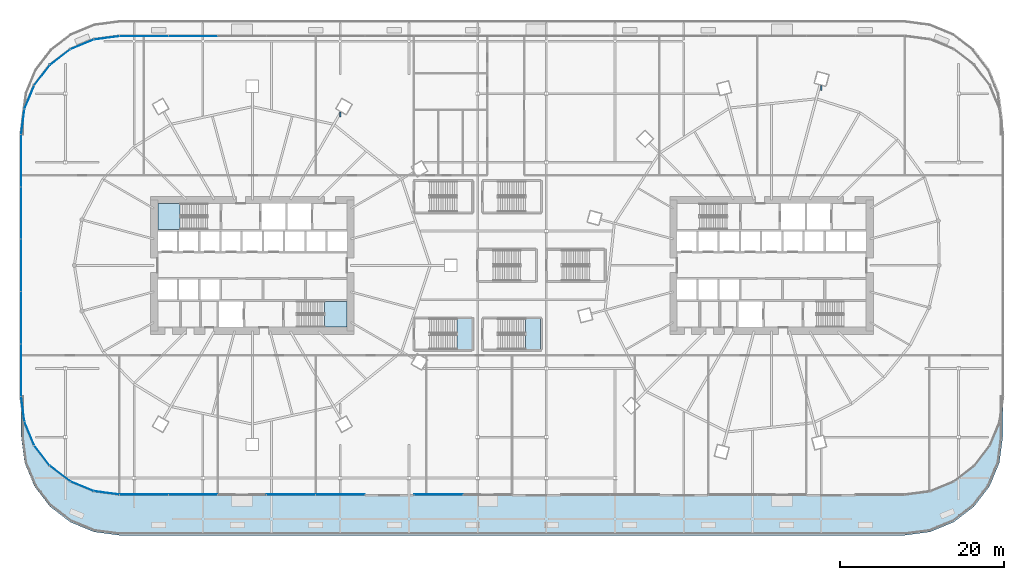
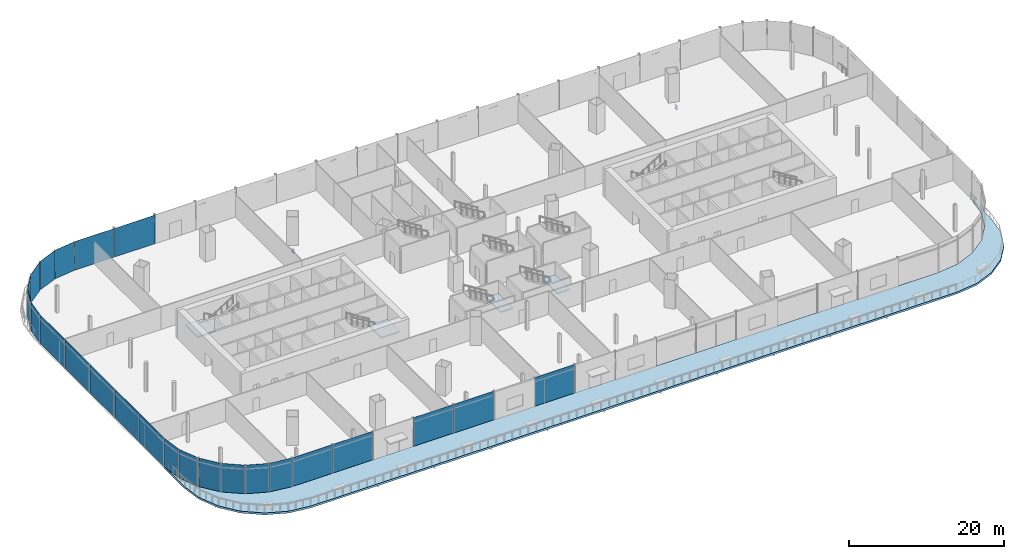
# One storey, part 31 of 52: 24 plates, 5 slabs, 2 beams, 5 elements without a shape of their own.
"""IFC4 building model written with IfcOpenShell, lengths in metres."""

from ifc_helpers import new_model, si_unit, direction, frame, origin, origin_2d, place, context, subcontext, project, spatial, polyline, rectangle, i_section, outline, extrude, material, layer, layer_set, material_profile, profile_set, type_object, element, aggregate, save


model = new_model("IFC4")

# Units and contexts
model_context = context("Model", 3, precision=1e-05, world=origin(), true_north=direction((0.0, 1.0)))
body_context = subcontext(model_context, "Body", "Model", "MODEL_VIEW")
ifc_project = project(units=[si_unit("LENGTHUNIT", "METRE"), si_unit("AREAUNIT", "SQUARE_METRE"), si_unit("VOLUMEUNIT", "CUBIC_METRE"), si_unit("PLANEANGLEUNIT", "RADIAN"), si_unit("MASSUNIT", "GRAM", prefix="KILO")], contexts=[model_context])

# Site, building, storey
site_placement = place(None, origin())
site = spatial("IfcSite", under=ifc_project, at=site_placement, CompositionType="ELEMENT")
building_placement = place(site_placement, origin())
building = spatial("IfcBuilding", under=site, at=building_placement, Name="Rimbun Link Towers", CompositionType="ELEMENT")
storey_placement = place(building_placement, frame((0.0, 0.0, 21.0)))
storey = spatial("IfcBuildingStorey", under=building, at=storey_placement, Name="L04", CompositionType="ELEMENT", Elevation=21.0)

# Beams
ifc_material_1 = material(Name="Steel S355J2", Category="steel")
ifc_material_profile = material_profile(ifc_material_1, i_section(OverallWidth=0.209228515625, OverallDepth=0.533203125, WebThickness=0.010009765625, FlangeThickness=0.015625, at=origin_2d()), Name="UB 533x210x92")
ifc_profile_set = profile_set([ifc_material_profile], Name="Steel S355J2")
beam_type = type_object("IfcBeamType", Name="UB 533x210x92", PredefinedType="BEAM", material=ifc_profile_set)
beam_1_placement = place(storey_placement, frame((-21.0, 18.157958984375, -0.56640625), z_axis=(0.0, 1.0, 0.0), x_axis=(-1.0, 0.0, 0.0)))
element("IfcBeam", 1, at=beam_1_placement, inside=storey, type_object=beam_type, Name="Grid beam L04 -21.0", PredefinedType="BEAM", context=body_context, shape_type="SweptSolid", body=[
    extrude(i_section(OverallWidth=0.209228515625, OverallDepth=0.533203125, WebThickness=0.010009765625, FlangeThickness=0.015625, at=origin_2d()), origin(), (0.0, 0.0, 1.0), 0.59326171875),
])
beam_2_placement = place(storey_placement, frame((37.800048828125, 21.398193359375, -0.56640625), z_axis=(0.0, 1.0, 0.0), x_axis=(-1.0, 0.0, 0.0)))
element("IfcBeam", 2, at=beam_2_placement, inside=storey, type_object=beam_type, Name="Grid beam L04 +37.8", PredefinedType="BEAM", context=body_context, shape_type="SweptSolid", body=[
    extrude(i_section(OverallWidth=0.209228515625, OverallDepth=0.533203125, WebThickness=0.010009765625, FlangeThickness=0.015625, at=origin_2d()), origin(), (0.0, 0.0, 1.0), 0.5966796875),
])

# Curtain wall, plates
ifc_material_2 = material(Name="Aluminium 6063-T6 and low-iron glass", Category="aluminium")
curtain_wall_type = type_object("IfcCurtainWallType", Name="CW3 podium shopfront", PredefinedType="NOTDEFINED", material=ifc_material_2)
curtain_wall_placement = place(storey_placement, origin())
curtain_wall = element("IfcCurtainWall", 3, at=curtain_wall_placement, inside=storey, type_object=curtain_wall_type, Name="CW3 L04 PD", PredefinedType="NOTDEFINED")
ifc_material_3 = material(Name="Clear toughened low-iron glass", Category="glass")
ifc_layer_1 = layer(ifc_material_3, 0.02392578125)
ifc_layer_set_1 = layer_set([ifc_layer_1], Name="CW3 panel Clear toughened low-iron glass 24")
plate_type = type_object("IfcPlateType", Name="CW3 panel Clear toughened low-iron glass 24", PredefinedType="CURTAIN_PANEL", material=ifc_layer_set_1)
plate_1_placement = place(storey_placement, frame((-39.0, 28.011962890625, 0.0), z_axis=(0.0, 0.0, 1.0), x_axis=(1.0, 0.0, 0.0)))
plate_1 = element("IfcPlate", 4, at=plate_1_placement, type_object=plate_type, Name="CW3 panel", PredefinedType="CURTAIN_PANEL", context=body_context, shape_type="SweptSolid", body=[
    extrude(rectangle(XDim=5.9599609375, YDim=0.02392578125, at=origin_2d()), origin(), (0.0, 0.0, 1.0), 4.5),
])
plate_2_placement = place(storey_placement, frame((-45.0, 28.011962890625, 0.0), z_axis=(0.0, 0.0, 1.0), x_axis=(1.0, 0.0, 0.0)))
plate_2 = element("IfcPlate", 5, at=plate_2_placement, type_object=plate_type, Name="CW3 panel", PredefinedType="CURTAIN_PANEL", context=body_context, shape_type="SweptSolid", body=[
    extrude(rectangle(XDim=5.9599609375, YDim=0.02392578125, at=origin_2d()), origin(), (0.0, 0.0, 1.0), 4.5),
])
plate_3_placement = place(storey_placement, frame((-49.554443359375, 27.807373046875, 0.0), z_axis=(0.0, 0.0, 1.0), x_axis=(0.991444296525, 0.130530482602, 0.0)))
plate_3 = element("IfcPlate", 6, at=plate_3_placement, type_object=plate_type, Name="CW3 panel", PredefinedType="CURTAIN_PANEL", context=body_context, shape_type="SweptSolid", body=[
    extrude(rectangle(XDim=3.092529296875, YDim=0.02392578125, at=origin_2d()), origin(), (0.0, 0.0, 1.0), 4.5),
])
plate_4_placement = place(storey_placement, frame((-52.557373046875, 27.002685546875, 0.0), z_axis=(0.0, 0.0, 1.0), x_axis=(0.923881438965, 0.382678829747, 0.0)))
plate_4 = element("IfcPlate", 7, at=plate_4_placement, type_object=plate_type, Name="CW3 panel", PredefinedType="CURTAIN_PANEL", context=body_context, shape_type="SweptSolid", body=[
    extrude(rectangle(XDim=3.0927734375, YDim=0.02392578125, at=origin_2d()), origin(), (0.0, 0.0, 1.0), 4.5),
])
plate_5_placement = place(storey_placement, frame((-55.25, 25.4482421875, 0.0), z_axis=(0.0, 0.0, 1.0), x_axis=(0.793359162281, 0.608753841569, 0.0)))
plate_5 = element("IfcPlate", 8, at=plate_5_placement, type_object=plate_type, Name="CW3 panel", PredefinedType="CURTAIN_PANEL", context=body_context, shape_type="SweptSolid", body=[
    extrude(rectangle(XDim=3.092529296875, YDim=0.02392578125, at=origin_2d()), origin(), (0.0, 0.0, 1.0), 4.5),
])
plate_6_placement = place(storey_placement, frame((-57.4482421875, 23.25, 0.0), z_axis=(0.0, 0.0, 1.0), x_axis=(0.608753841569, 0.793359162281, 0.0)))
plate_6 = element("IfcPlate", 9, at=plate_6_placement, type_object=plate_type, Name="CW3 panel", PredefinedType="CURTAIN_PANEL", context=body_context, shape_type="SweptSolid", body=[
    extrude(rectangle(XDim=3.092529296875, YDim=0.02392578125, at=origin_2d()), origin(), (0.0, 0.0, 1.0), 4.5),
])
plate_7_placement = place(storey_placement, frame((-59.002685546875, 20.557373046875, 0.0), z_axis=(0.0, 0.0, 1.0), x_axis=(0.382678829747, 0.923881438965, 0.0)))
plate_7 = element("IfcPlate", 10, at=plate_7_placement, type_object=plate_type, Name="CW3 panel", PredefinedType="CURTAIN_PANEL", context=body_context, shape_type="SweptSolid", body=[
    extrude(rectangle(XDim=3.0927734375, YDim=0.02392578125, at=origin_2d()), origin(), (0.0, 0.0, 1.0), 4.5),
])
plate_8_placement = place(storey_placement, frame((-59.807373046875, 17.554443359375, 0.0), z_axis=(0.0, 0.0, 1.0), x_axis=(0.130530482602, 0.991444296525, 0.0)))
plate_8 = element("IfcPlate", 11, at=plate_8_placement, type_object=plate_type, Name="CW3 panel", PredefinedType="CURTAIN_PANEL", context=body_context, shape_type="SweptSolid", body=[
    extrude(rectangle(XDim=3.092529296875, YDim=0.02392578125, at=origin_2d()), origin(), (0.0, 0.0, 1.0), 4.5),
])
plate_9_placement = place(storey_placement, frame((-60.011962890625, 12.800048828125, 0.0), z_axis=(0.0, 0.0, 1.0), x_axis=(0.0, 1.0, 0.0)))
plate_9 = element("IfcPlate", 12, at=plate_9_placement, type_object=plate_type, Name="CW3 panel", PredefinedType="CURTAIN_PANEL", context=body_context, shape_type="SweptSolid", body=[
    extrude(rectangle(XDim=6.360107421875, YDim=0.02392578125, at=origin_2d()), origin(), (0.0, 0.0, 1.0), 4.5),
])
plate_10_placement = place(storey_placement, frame((-60.011962890625, 6.39990234375, 0.0), z_axis=(0.0, 0.0, 1.0), x_axis=(0.0, 1.0, 0.0)))
plate_10 = element("IfcPlate", 13, at=plate_10_placement, type_object=plate_type, Name="CW3 panel", PredefinedType="CURTAIN_PANEL", context=body_context, shape_type="SweptSolid", body=[
    extrude(rectangle(XDim=6.360107421875, YDim=0.02392578125, at=origin_2d()), origin(), (0.0, 0.0, 1.0), 4.5),
])
plate_11_placement = place(storey_placement, frame((-60.011962890625, 0.0, 0.0), z_axis=(0.0, 0.0, 1.0), x_axis=(0.0, 1.0, 0.0)))
plate_11 = element("IfcPlate", 14, at=plate_11_placement, type_object=plate_type, Name="CW3 panel", PredefinedType="CURTAIN_PANEL", context=body_context, shape_type="SweptSolid", body=[
    extrude(rectangle(XDim=6.360107421875, YDim=0.02392578125, at=origin_2d()), origin(), (0.0, 0.0, 1.0), 4.5),
])
plate_12_placement = place(storey_placement, frame((-60.011962890625, -6.39990234375, 0.0), z_axis=(0.0, 0.0, 1.0), x_axis=(0.0, 1.0, 0.0)))
plate_12 = element("IfcPlate", 15, at=plate_12_placement, type_object=plate_type, Name="CW3 panel", PredefinedType="CURTAIN_PANEL", context=body_context, shape_type="SweptSolid", body=[
    extrude(rectangle(XDim=6.360107421875, YDim=0.02392578125, at=origin_2d()), origin(), (0.0, 0.0, 1.0), 4.5),
])
plate_13_placement = place(storey_placement, frame((-60.011962890625, -12.800048828125, 0.0), z_axis=(0.0, 0.0, 1.0), x_axis=(0.0, 1.0, 0.0)))
plate_13 = element("IfcPlate", 16, at=plate_13_placement, type_object=plate_type, Name="CW3 panel", PredefinedType="CURTAIN_PANEL", context=body_context, shape_type="SweptSolid", body=[
    extrude(rectangle(XDim=6.360107421875, YDim=0.02392578125, at=origin_2d()), origin(), (0.0, 0.0, 1.0), 4.5),
])
plate_14_placement = place(storey_placement, frame((-59.807373046875, -17.554443359375, 0.0), z_axis=(0.0, 0.0, 1.0), x_axis=(-0.130530482602, 0.991444296525, 0.0)))
plate_14 = element("IfcPlate", 17, at=plate_14_placement, type_object=plate_type, Name="CW3 panel", PredefinedType="CURTAIN_PANEL", context=body_context, shape_type="SweptSolid", body=[
    extrude(rectangle(XDim=3.092529296875, YDim=0.02392578125, at=origin_2d()), origin(), (0.0, 0.0, 1.0), 4.5),
])
plate_15_placement = place(storey_placement, frame((-59.002685546875, -20.557373046875, 0.0), z_axis=(0.0, 0.0, 1.0), x_axis=(-0.382678829747, 0.923881438965, 0.0)))
plate_15 = element("IfcPlate", 18, at=plate_15_placement, type_object=plate_type, Name="CW3 panel", PredefinedType="CURTAIN_PANEL", context=body_context, shape_type="SweptSolid", body=[
    extrude(rectangle(XDim=3.0927734375, YDim=0.02392578125, at=origin_2d()), origin(), (0.0, 0.0, 1.0), 4.5),
])
plate_16_placement = place(storey_placement, frame((-57.4482421875, -23.25, 0.0), z_axis=(0.0, 0.0, 1.0), x_axis=(-0.608753841569, 0.793359162281, 0.0)))
plate_16 = element("IfcPlate", 19, at=plate_16_placement, type_object=plate_type, Name="CW3 panel", PredefinedType="CURTAIN_PANEL", context=body_context, shape_type="SweptSolid", body=[
    extrude(rectangle(XDim=3.092529296875, YDim=0.02392578125, at=origin_2d()), origin(), (0.0, 0.0, 1.0), 4.5),
])
plate_17_placement = place(storey_placement, frame((-55.25, -25.4482421875, 0.0), z_axis=(0.0, 0.0, 1.0), x_axis=(-0.793359162281, 0.608753841569, 0.0)))
plate_17 = element("IfcPlate", 20, at=plate_17_placement, type_object=plate_type, Name="CW3 panel", PredefinedType="CURTAIN_PANEL", context=body_context, shape_type="SweptSolid", body=[
    extrude(rectangle(XDim=3.092529296875, YDim=0.02392578125, at=origin_2d()), origin(), (0.0, 0.0, 1.0), 4.5),
])
plate_18_placement = place(storey_placement, frame((-52.557373046875, -27.002685546875, 0.0), z_axis=(0.0, 0.0, 1.0), x_axis=(-0.923881438965, 0.382678829747, 0.0)))
plate_18 = element("IfcPlate", 21, at=plate_18_placement, type_object=plate_type, Name="CW3 panel", PredefinedType="CURTAIN_PANEL", context=body_context, shape_type="SweptSolid", body=[
    extrude(rectangle(XDim=3.0927734375, YDim=0.02392578125, at=origin_2d()), origin(), (0.0, 0.0, 1.0), 4.5),
])
plate_19_placement = place(storey_placement, frame((-49.554443359375, -27.807373046875, 0.0), z_axis=(0.0, 0.0, 1.0), x_axis=(-0.991444296525, 0.130530482602, 0.0)))
plate_19 = element("IfcPlate", 22, at=plate_19_placement, type_object=plate_type, Name="CW3 panel", PredefinedType="CURTAIN_PANEL", context=body_context, shape_type="SweptSolid", body=[
    extrude(rectangle(XDim=3.092529296875, YDim=0.02392578125, at=origin_2d()), origin(), (0.0, 0.0, 1.0), 4.5),
])
plate_20_placement = place(storey_placement, frame((-45.0, -28.011962890625, 0.0), z_axis=(0.0, 0.0, 1.0), x_axis=(-1.0, 0.0, 0.0)))
plate_20 = element("IfcPlate", 23, at=plate_20_placement, type_object=plate_type, Name="CW3 panel", PredefinedType="CURTAIN_PANEL", context=body_context, shape_type="SweptSolid", body=[
    extrude(rectangle(XDim=5.9599609375, YDim=0.02392578125, at=origin_2d()), origin(), (0.0, 0.0, 1.0), 4.5),
])
plate_21_placement = place(storey_placement, frame((-39.0, -28.011962890625, 0.0), z_axis=(0.0, 0.0, 1.0), x_axis=(-1.0, 0.0, 0.0)))
plate_21 = element("IfcPlate", 24, at=plate_21_placement, type_object=plate_type, Name="CW3 panel", PredefinedType="CURTAIN_PANEL", context=body_context, shape_type="SweptSolid", body=[
    extrude(rectangle(XDim=5.9599609375, YDim=0.02392578125, at=origin_2d()), origin(), (0.0, 0.0, 1.0), 4.5),
])
plate_22_placement = place(storey_placement, frame((-27.0, -28.011962890625, 0.0), z_axis=(0.0, 0.0, 1.0), x_axis=(-1.0, 0.0, 0.0)))
plate_22 = element("IfcPlate", 25, at=plate_22_placement, type_object=plate_type, Name="CW3 panel", PredefinedType="CURTAIN_PANEL", context=body_context, shape_type="SweptSolid", body=[
    extrude(rectangle(XDim=5.9599609375, YDim=0.02392578125, at=origin_2d()), origin(), (0.0, 0.0, 1.0), 4.5),
])
plate_23_placement = place(storey_placement, frame((-21.0, -28.011962890625, 0.0), z_axis=(0.0, 0.0, 1.0), x_axis=(-1.0, 0.0, 0.0)))
plate_23 = element("IfcPlate", 26, at=plate_23_placement, type_object=plate_type, Name="CW3 panel", PredefinedType="CURTAIN_PANEL", context=body_context, shape_type="SweptSolid", body=[
    extrude(rectangle(XDim=5.9599609375, YDim=0.02392578125, at=origin_2d()), origin(), (0.0, 0.0, 1.0), 4.5),
])
plate_24_placement = place(storey_placement, frame((-9.0, -28.011962890625, 0.0), z_axis=(0.0, 0.0, 1.0), x_axis=(-1.0, 0.0, 0.0)))
plate_24 = element("IfcPlate", 27, at=plate_24_placement, type_object=plate_type, Name="CW3 panel", PredefinedType="CURTAIN_PANEL", context=body_context, shape_type="SweptSolid", body=[
    extrude(rectangle(XDim=5.9599609375, YDim=0.02392578125, at=origin_2d()), origin(), (0.0, 0.0, 1.0), 4.5),
])
aggregate(curtain_wall, [plate_1, plate_2, plate_3, plate_4, plate_5, plate_6, plate_7, plate_8, plate_9, plate_10, plate_11, plate_12, plate_13, plate_14, plate_15, plate_16, plate_17, plate_18, plate_19, plate_20, plate_21, plate_22, plate_23, plate_24])

# Slab
ifc_material_4 = material(Name="Concrete C40/50", Category="concrete")
ifc_layer_2 = layer(ifc_material_4, 0.300048828125)
ifc_layer_set_2 = layer_set([ifc_layer_2], Name="PODIUM TERRACE SLAB 300")
slab_type_1 = type_object("IfcSlabType", Name="PODIUM TERRACE SLAB 300", PredefinedType="FLOOR", material=ifc_layer_set_2)
slab_1_placement = place(storey_placement, frame((0.0, 0.0, -0.300048828125)))
element("IfcSlab", 28, at=slab_1_placement, inside=storey, type_object=slab_type_1, Name="Terrace slab L04", PredefinedType="FLOOR", context=body_context, shape_type="SweptSolid", body=[
    extrude(outline(polyline([(59.591064453125, -24.105712890625), (58.392333984375, -27.0), (56.4853515625, -29.4853515625), (54.0, -31.392333984375), (51.105712890625, -32.591064453125), (48.0, -33.0), (-48.0, -33.0), (-51.105712890625, -32.591064453125), (-54.0, -31.392333984375), (-56.4853515625, -29.4853515625), (-58.392333984375, -27.0), (-59.591064453125, -24.105712890625), (-60.0, -21.0), (-60.0, -16.0), (-59.591064453125, -19.105712890625), (-58.392333984375, -22.0), (-56.4853515625, -24.4853515625), (-54.0, -26.392333984375), (-51.105712890625, -27.591064453125), (-48.0, -28.0), (48.0, -28.0), (51.105712890625, -27.591064453125), (54.0, -26.392333984375), (56.4853515625, -24.4853515625), (58.392333984375, -22.0), (59.591064453125, -19.105712890625), (60.0, -16.0), (60.0, -21.0), (59.591064453125, -24.105712890625)])), origin(), (0.0, 0.0, 1.0), 0.300048828125),
])

# Stair, slab
ifc_material_5 = material(Name="Concrete C40/50", Category="concrete")
stair_type_1 = type_object("IfcStairType", Name="Exit stair 4500 rise", PredefinedType="HALF_TURN_STAIR", material=ifc_material_5)
stair_1_placement = place(storey_placement, origin())
stair_1 = element("IfcStair", 29, at=stair_1_placement, inside=storey, type_object=stair_type_1, Name="L04 EXIT STAIR A", PredefinedType="HALF_TURN_STAIR")
ifc_material_6 = material(Name="Concrete C40/50", Category="concrete")
ifc_layer_3 = layer(ifc_material_6, 0.199951171875)
ifc_layer_set_3 = layer_set([ifc_layer_3], Name="Stair landing")
slab_type_2 = type_object("IfcSlabType", Name="Stair landing", PredefinedType="LANDING", material=ifc_layer_set_3)
slab_2_placement = place(storey_placement, frame((0.0, 0.0, 2.050048828125)))
slab_2 = element("IfcSlab", 30, at=slab_2_placement, type_object=slab_type_2, Name="ST1 landing 1", PredefinedType="LANDING", context=body_context, shape_type="SweptSolid", body=[
    extrude(outline(polyline([(-40.56005859375, 7.550048828125), (-43.300048828125, 7.550048828125), (-43.300048828125, 4.39990234375), (-40.56005859375, 4.39990234375), (-40.56005859375, 7.550048828125)])), origin(), (0.0, 0.0, 1.0), 0.199951171875),
])
aggregate(stair_1, [slab_2])

stair_2_placement = place(storey_placement, origin())
stair_2 = element("IfcStair", 31, at=stair_2_placement, inside=storey, type_object=stair_type_1, Name="L04 EXIT STAIR B", PredefinedType="HALF_TURN_STAIR")
slab_3_placement = place(storey_placement, frame((0.0, 0.0, 2.050048828125)))
slab_3 = element("IfcSlab", 32, at=slab_3_placement, type_object=slab_type_2, Name="ST2 landing 1", PredefinedType="LANDING", context=body_context, shape_type="SweptSolid", body=[
    extrude(outline(polyline([(-22.93994140625, -7.550048828125), (-20.199951171875, -7.550048828125), (-20.199951171875, -4.39990234375), (-22.93994140625, -4.39990234375), (-22.93994140625, -7.550048828125)])), origin(), (0.0, 0.0, 1.0), 0.199951171875),
])
aggregate(stair_2, [slab_3])

ifc_material_7 = material(Name="Concrete C40/50", Category="concrete")
stair_type_2 = type_object("IfcStairType", Name="Podium exit stair 1800", PredefinedType="HALF_TURN_STAIR", material=ifc_material_7)
stair_3_placement = place(storey_placement, origin())
stair_3 = element("IfcStair", 33, at=stair_3_placement, inside=storey, type_object=stair_type_2, Name="L04 PODIUM EXIT STAIR", PredefinedType="HALF_TURN_STAIR")
slab_4_placement = place(storey_placement, frame((0.0, 0.0, 2.050048828125)))
slab_4 = element("IfcSlab", 34, at=slab_4_placement, type_object=slab_type_2, Name="PS1 landing 1", PredefinedType="LANDING", context=body_context, shape_type="SweptSolid", body=[
    extrude(outline(polyline([(-6.739990234375, -10.27490234375), (-4.89990234375, -10.27490234375), (-4.89990234375, -6.52490234375), (-6.739990234375, -6.52490234375), (-6.739990234375, -10.27490234375)])), origin(), (0.0, 0.0, 1.0), 0.199951171875),
])
aggregate(stair_3, [slab_4])

stair_4_placement = place(storey_placement, origin())
stair_4 = element("IfcStair", 35, at=stair_4_placement, inside=storey, type_object=stair_type_2, Name="L04 PODIUM EXIT STAIR", PredefinedType="HALF_TURN_STAIR")
slab_5_placement = place(storey_placement, frame((0.0, 0.0, 2.050048828125)))
slab_5 = element("IfcSlab", 36, at=slab_5_placement, type_object=slab_type_2, Name="PS2 landing 1", PredefinedType="LANDING", context=body_context, shape_type="SweptSolid", body=[
    extrude(outline(polyline([(1.659912109375, -10.27490234375), (3.5, -10.27490234375), (3.5, -6.52490234375), (1.659912109375, -6.52490234375), (1.659912109375, -10.27490234375)])), origin(), (0.0, 0.0, 1.0), 0.199951171875),
])
aggregate(stair_4, [slab_5])

save(model, "model.ifc")
